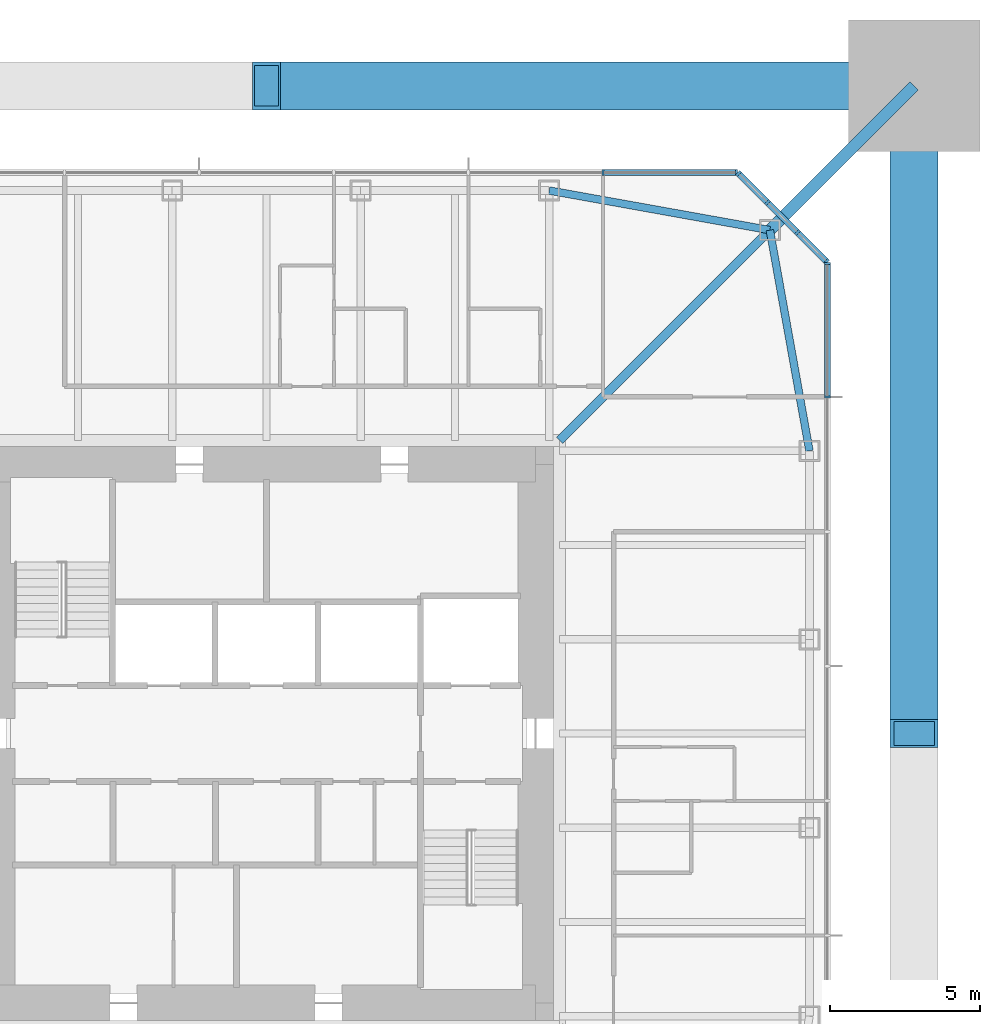
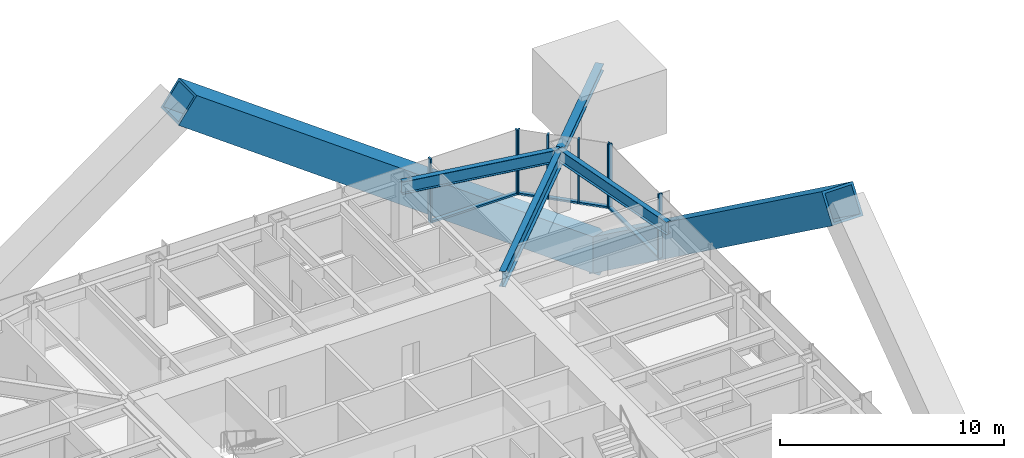
# One storey, part 6 of 13: 16 members, 3 beams, 3 elements without a shape of their own.
"""IFC4 building model written with IfcOpenShell, lengths in metres."""

from ifc_helpers import new_model, si_unit, direction, frame, origin, origin_2d, place, context, subcontext, project, spatial, rectangle, hollow_rectangle, i_section, extrude, material, material_profile, profile_set, type_object, element, aggregate, save


model = new_model("IFC4")

# Units and contexts
model_context = context("Model", 3, precision=1e-05, world=origin(), true_north=direction((0.0, 1.0)))
body_context = subcontext(model_context, "Body", "Model", "MODEL_VIEW")
ifc_project = project(units=[si_unit("LENGTHUNIT", "METRE"), si_unit("AREAUNIT", "SQUARE_METRE"), si_unit("VOLUMEUNIT", "CUBIC_METRE"), si_unit("PLANEANGLEUNIT", "RADIAN"), si_unit("MASSUNIT", "GRAM", prefix="KILO")], contexts=[model_context])

# Site, building, storey
site_placement = place(None, origin())
site = spatial("IfcSite", under=ifc_project, at=site_placement, CompositionType="ELEMENT")
building_placement = place(site_placement, origin())
building = spatial("IfcBuilding", under=site, at=building_placement, Name="Iwan Alto Co-Living Towers", CompositionType="ELEMENT")
storey_placement = place(building_placement, frame((0.0, 0.0, 184.5)))
storey = spatial("IfcBuildingStorey", under=building, at=storey_placement, Name="L50", CompositionType="ELEMENT", Elevation=184.5)

# Curtain wall, members
ifc_material_1 = material(Name="Bronze aluminium unitised frame", Category="aluminium")
curtain_wall_type_1 = type_object("IfcCurtainWallType", Name="CURTAIN WALL CW-A", PredefinedType="NOTDEFINED", material=ifc_material_1)
curtain_wall_1_placement = place(storey_placement, origin())
curtain_wall_1 = element("IfcCurtainWall", 1, at=curtain_wall_1_placement, inside=storey, type_object=curtain_wall_type_1, Name="T1 curtain wall E L50", PredefinedType="NOTDEFINED")
ifc_material_2 = material(Name="Aluminium 6063-T6 bronze anodised", Category="aluminium")
ifc_material_profile_1 = material_profile(ifc_material_2, rectangle(XDim=0.199951171875, YDim=0.080078125, at=origin_2d()), Name="AL 80X200")
ifc_profile_set_1 = profile_set([ifc_material_profile_1], Name="Aluminium 6063-T6 bronze anodised")
member_type_1 = type_object("IfcMemberType", Name="CW-A MULLION 80X200", PredefinedType="MULLION", material=ifc_profile_set_1)
member_1_placement = place(storey_placement, frame((18.75, 11.25, 0.0), z_axis=(0.0, 0.0, 1.0), x_axis=(-1.0, 0.0, 0.0)))
member_1 = element("IfcMember", 2, at=member_1_placement, type_object=member_type_1, Name="CW-A mullion 7", PredefinedType="MULLION", context=body_context, shape_type="SweptSolid", body=[
    extrude(rectangle(XDim=0.199951171875, YDim=0.080078125, at=origin_2d()), origin(), (0.0, 0.0, 1.0), 3.5),
])
member_2_placement = place(storey_placement, frame((18.75, 15.7099609375, 0.0), z_axis=(0.0, 0.0, 1.0), x_axis=(-1.0, 0.0, 0.0)))
member_2 = element("IfcMember", 3, at=member_2_placement, type_object=member_type_1, Name="CW-A mullion 8", PredefinedType="MULLION", context=body_context, shape_type="SweptSolid", body=[
    extrude(rectangle(XDim=0.199951171875, YDim=0.080078125, at=origin_2d()), origin(), (0.0, 0.0, 1.0), 3.5),
])

curtain_wall_2_placement = place(storey_placement, origin())
curtain_wall_2 = element("IfcCurtainWall", 4, at=curtain_wall_2_placement, inside=storey, type_object=curtain_wall_type_1, Name="T1 curtain wall N L50", PredefinedType="NOTDEFINED")
member_3_placement = place(storey_placement, frame((15.7099609375, 18.75, 0.0), z_axis=(0.0, 0.0, 1.0), x_axis=(0.0, -1.0, 0.0)))
member_3 = element("IfcMember", 5, at=member_3_placement, type_object=member_type_1, Name="CW-A mullion 1", PredefinedType="MULLION", context=body_context, shape_type="SweptSolid", body=[
    extrude(rectangle(XDim=0.199951171875, YDim=0.080078125, at=origin_2d()), origin(), (0.0, 0.0, 1.0), 3.5),
])
member_4_placement = place(storey_placement, frame((11.25, 18.75, 0.0), z_axis=(0.0, 0.0, 1.0), x_axis=(0.0, -1.0, 0.0)))
member_4 = element("IfcMember", 6, at=member_4_placement, type_object=member_type_1, Name="CW-A mullion 2", PredefinedType="MULLION", context=body_context, shape_type="SweptSolid", body=[
    extrude(rectangle(XDim=0.199951171875, YDim=0.080078125, at=origin_2d()), origin(), (0.0, 0.0, 1.0), 3.5),
])

# Member
ifc_material_3 = material(Name="Aluminium 6063-T6 bronze anodised", Category="aluminium")
ifc_material_profile_2 = material_profile(ifc_material_3, rectangle(XDim=0.199951171875, YDim=0.10009765625, at=origin_2d()), Name="AL 200X100")
ifc_profile_set_2 = profile_set([ifc_material_profile_2], Name="Aluminium 6063-T6 bronze anodised")
member_type_2 = type_object("IfcMemberType", Name="CW-A TRANSOM 200X100", PredefinedType="USERDEFINED", material=ifc_profile_set_2)
member_5_placement = place(storey_placement, frame((18.75, 11.2900390625, 0.050048828125), z_axis=(0.0, 1.0, 0.0), x_axis=(-1.0, 0.0, 0.0)))
member_5 = element("IfcMember", 7, at=member_5_placement, type_object=member_type_2, Name="CW-A transom 7.1", ObjectType="TRANSOM", PredefinedType="USERDEFINED", context=body_context, shape_type="SweptSolid", body=[
    extrude(rectangle(XDim=0.199951171875, YDim=0.10009765625, at=origin_2d()), origin(), (0.0, 0.0, 1.0), 4.3798828125),
])

aggregate(curtain_wall_1, [member_1, member_2, member_5])

member_6_placement = place(storey_placement, frame((15.669921875, 18.75, 0.050048828125), z_axis=(-1.0, 0.0, 0.0), x_axis=(0.0, -1.0, 0.0)))
member_6 = element("IfcMember", 8, at=member_6_placement, type_object=member_type_2, Name="CW-A transom 1.1", ObjectType="TRANSOM", PredefinedType="USERDEFINED", context=body_context, shape_type="SweptSolid", body=[
    extrude(rectangle(XDim=0.199951171875, YDim=0.10009765625, at=origin_2d()), origin(), (0.0, 0.0, 1.0), 4.3798828125),
])

aggregate(curtain_wall_2, [member_3, member_4, member_6])

# Curtain wall, members
ifc_material_4 = material(Name="Bronze aluminium unitised frame", Category="aluminium")
curtain_wall_type_2 = type_object("IfcCurtainWallType", Name="CURTAIN WALL CW-B", PredefinedType="NOTDEFINED", material=ifc_material_4)
curtain_wall_3_placement = place(storey_placement, origin())
curtain_wall_3 = element("IfcCurtainWall", 9, at=curtain_wall_3_placement, inside=storey, type_object=curtain_wall_type_2, Name="T1 chamfer curtain wall NE L50", PredefinedType="NOTDEFINED")
ifc_material_5 = material(Name="Aluminium 6063-T6 bronze anodised", Category="aluminium")
ifc_material_profile_3 = material_profile(ifc_material_5, rectangle(XDim=0.199951171875, YDim=0.080078125, at=origin_2d()), Name="AL 80X200")
ifc_profile_set_3 = profile_set([ifc_material_profile_3], Name="Aluminium 6063-T6 bronze anodised")
member_type_3 = type_object("IfcMemberType", Name="CW-B MULLION 80X200", PredefinedType="MULLION", material=ifc_profile_set_3)
member_7_placement = place(storey_placement, frame((18.7216796875, 15.7783203125, 0.0), z_axis=(0.0, 0.0, 1.0), x_axis=(-0.707106781187, -0.707106781187, 0.0)))
member_7 = element("IfcMember", 10, at=member_7_placement, type_object=member_type_3, Name="CW-B mullion 1", PredefinedType="MULLION", context=body_context, shape_type="SweptSolid", body=[
    extrude(rectangle(XDim=0.199951171875, YDim=0.080078125, at=origin_2d()), origin(), (0.0, 0.0, 1.0), 3.5),
])
member_8_placement = place(storey_placement, frame((17.75, 16.75, 0.0), z_axis=(0.0, 0.0, 1.0), x_axis=(-0.707106781187, -0.707106781187, 0.0)))
member_8 = element("IfcMember", 11, at=member_8_placement, type_object=member_type_3, Name="CW-B mullion 2", PredefinedType="MULLION", context=body_context, shape_type="SweptSolid", body=[
    extrude(rectangle(XDim=0.199951171875, YDim=0.080078125, at=origin_2d()), origin(), (0.0, 0.0, 1.0), 3.5),
])
member_9_placement = place(storey_placement, frame((16.75, 17.75, 0.0), z_axis=(0.0, 0.0, 1.0), x_axis=(-0.707106781187, -0.707106781187, 0.0)))
member_9 = element("IfcMember", 12, at=member_9_placement, type_object=member_type_3, Name="CW-B mullion 3", PredefinedType="MULLION", context=body_context, shape_type="SweptSolid", body=[
    extrude(rectangle(XDim=0.199951171875, YDim=0.080078125, at=origin_2d()), origin(), (0.0, 0.0, 1.0), 3.5),
])
member_10_placement = place(storey_placement, frame((15.7783203125, 18.7216796875, 0.0), z_axis=(0.0, 0.0, 1.0), x_axis=(-0.707106781187, -0.707106781187, 0.0)))
member_10 = element("IfcMember", 13, at=member_10_placement, type_object=member_type_3, Name="CW-B mullion 4", PredefinedType="MULLION", context=body_context, shape_type="SweptSolid", body=[
    extrude(rectangle(XDim=0.199951171875, YDim=0.080078125, at=origin_2d()), origin(), (0.0, 0.0, 1.0), 3.5),
])
ifc_material_6 = material(Name="Aluminium 6063-T6 bronze anodised", Category="aluminium")
ifc_material_profile_4 = material_profile(ifc_material_6, rectangle(XDim=0.199951171875, YDim=0.10009765625, at=origin_2d()), Name="AL 200X100")
ifc_profile_set_4 = profile_set([ifc_material_profile_4], Name="Aluminium 6063-T6 bronze anodised")
member_type_4 = type_object("IfcMemberType", Name="CW-B TRANSOM 200X100", PredefinedType="USERDEFINED", material=ifc_profile_set_4)
member_11_placement = place(storey_placement, frame((18.693359375, 15.806640625, 0.050048828125), z_axis=(-0.707106781187, 0.707106781187, 0.0), x_axis=(-0.707106781187, -0.707106781187, 0.0)))
member_11 = element("IfcMember", 14, at=member_11_placement, type_object=member_type_4, Name="CW-B transom 1.1", ObjectType="TRANSOM", PredefinedType="USERDEFINED", context=body_context, shape_type="SweptSolid", body=[
    extrude(rectangle(XDim=0.199951171875, YDim=0.10009765625, at=origin_2d()), origin(), (0.0, 0.0, 1.0), 1.2939453125),
])
member_12_placement = place(storey_placement, frame((17.7216796875, 16.7783203125, 0.050048828125), z_axis=(-0.707106781187, 0.707106781187, 0.0), x_axis=(-0.707106781187, -0.707106781187, 0.0)))
member_12 = element("IfcMember", 15, at=member_12_placement, type_object=member_type_4, Name="CW-B transom 2.1", ObjectType="TRANSOM", PredefinedType="USERDEFINED", context=body_context, shape_type="SweptSolid", body=[
    extrude(rectangle(XDim=0.199951171875, YDim=0.10009765625, at=origin_2d()), origin(), (0.0, 0.0, 1.0), 1.334228515625),
])
member_13_placement = place(storey_placement, frame((16.7216796875, 17.7783203125, 0.050048828125), z_axis=(-0.707106781187, 0.707106781187, 0.0), x_axis=(-0.707106781187, -0.707106781187, 0.0)))
member_13 = element("IfcMember", 16, at=member_13_placement, type_object=member_type_4, Name="CW-B transom 3.1", ObjectType="TRANSOM", PredefinedType="USERDEFINED", context=body_context, shape_type="SweptSolid", body=[
    extrude(rectangle(XDim=0.199951171875, YDim=0.10009765625, at=origin_2d()), origin(), (0.0, 0.0, 1.0), 1.2939453125),
])
aggregate(curtain_wall_3, [member_7, member_8, member_9, member_10, member_11, member_12, member_13])

# Beams
ifc_material_7 = material(Name="Steel ASTM A992 Gr 50", Category="steel")
ifc_material_profile_5 = material_profile(ifc_material_7, i_section(OverallWidth=0.2919921875, OverallDepth=0.8408203125, WebThickness=0.0146484375, FlangeThickness=0.021728515625, at=origin_2d()), Name="W33X130")
ifc_profile_set_5 = profile_set([ifc_material_profile_5], Name="Steel ASTM A992 Gr 50")
beam_type_1 = type_object("IfcBeamType", Name="T1 CORNER GIRDER W33X130", PredefinedType="BEAM", material=ifc_profile_set_5)
beam_placement = place(storey_placement, frame((16.82568359375, 16.82568359375, 2.849609375), z_axis=(-0.707106781187, -0.707106781187, 0.0), x_axis=(0.707106781187, -0.707106781187, 0.0)))
element("IfcBeam", 17, at=beam_placement, inside=storey, type_object=beam_type_1, Name="T1 corner girder CNE L51", PredefinedType="BEAM", context=body_context, shape_type="SweptSolid", body=[
    extrude(i_section(OverallWidth=0.2919921875, OverallDepth=0.8408203125, WebThickness=0.0146484375, FlangeThickness=0.021728515625, at=origin_2d()), origin(), (0.0, 0.0, 1.0), 9.936767578125),
])
ifc_material_8 = material(Name="Steel ASTM A992 Gr 50", Category="steel")
ifc_material_profile_6 = material_profile(ifc_material_8, i_section(OverallWidth=0.25390625, OverallDepth=0.683349609375, WebThickness=0.012451171875, FlangeThickness=0.018798828125, at=origin_2d()), Name="W27X94")
ifc_profile_set_6 = profile_set([ifc_material_profile_6], Name="Steel ASTM A992 Gr 50")
beam_type_2 = type_object("IfcBeamType", Name="T1 EDGE BEAM W27X94", PredefinedType="BEAM", material=ifc_profile_set_6)
for number, where, z_axis, x_axis, name in (
    (18, (18.14990234375, 9.449951171875, 2.928466796875), (-0.17671181143, 0.98426263553, 0.0), (-0.98426263553, -0.17671181143, 0.0), "T1 edge beam E4 L51"),
    (19, (16.82568359375, 16.82568359375, 2.928466796875), (-0.98426263553, 0.17671181143, 0.0), (-0.17671181143, -0.98426263553, 0.0), "T1 edge beam CNE L51"),
):
    element("IfcBeam", number, at=place(storey_placement, frame(where, z_axis=z_axis, x_axis=x_axis)), inside=storey, type_object=beam_type_2, Name=name, PredefinedType="BEAM", context=body_context, shape_type="SweptSolid", body=[
        extrude(i_section(OverallWidth=0.25390625, OverallDepth=0.683349609375, WebThickness=0.012451171875, FlangeThickness=0.018798828125, at=origin_2d()), origin(), (0.0, 0.0, 1.0), 7.49365234375),
    ])

# Members
ifc_material_9 = material(Name="Steel ASTM A572 Gr 42", Category="steel")
ifc_material_profile_7 = material_profile(ifc_material_9, hollow_rectangle(XDim=1.60009765625, YDim=1.60009765625, WallThickness=0.1201171875, at=origin_2d()), Name="BOX 1600X1600X120")
ifc_profile_set_7 = profile_set([ifc_material_profile_7], Name="Steel ASTM A572 Gr 42")
member_type_5 = type_object("IfcMemberType", Name="T1 MEGA BRACE BOX 1600X1600X120", PredefinedType="BRACE", material=ifc_profile_set_7)
for number, where, z_axis, x_axis, name in (
    (20, (21.64990234375, 21.64990234375, -7.0), (0.0, -0.808654054795, 0.588284471717), (1.0, 0.0, 0.0), "T1 mega brace Z3B E 2 lower"),
    (21, (21.64990234375, 21.64990234375, -7.0), (-0.808654054795, 0.0, 0.588284471717), (0.0, -1.0, 0.0), "T1 mega brace Z3B N 1 lower"),
):
    element("IfcMember", number, at=place(storey_placement, frame(where, z_axis=z_axis, x_axis=x_axis)), inside=storey, type_object=member_type_5, Name=name, PredefinedType="BRACE", context=body_context, shape_type="SweptSolid", body=[
        extrude(hollow_rectangle(XDim=1.60009765625, YDim=1.60009765625, WallThickness=0.1201171875, at=origin_2d()), origin(), (0.0, 0.0, 1.0), 26.772705078125),
    ])
ifc_material_10 = material(Name="Steel ASTM A992 Gr 50", Category="steel")
ifc_material_profile_8 = material_profile(ifc_material_10, i_section(OverallWidth=0.393798828125, OverallDepth=0.3759765625, WebThickness=0.017333984375, FlangeThickness=0.027587890625, at=origin_2d()), Name="W14X145")
ifc_profile_set_8 = profile_set([ifc_material_profile_8], Name="Steel ASTM A992 Gr 50")
member_type_6 = type_object("IfcMemberType", Name="T1 MEGA COLUMN FLOOR TIE W14X145", PredefinedType="STRUT", material=ifc_profile_set_8)
member_14_placement = place(storey_placement, frame((21.64990234375, 21.64990234375, 3.08203125), z_axis=(-0.707106781187, -0.707106781187, 0.0), x_axis=(0.707106781187, -0.707106781187, 0.0)))
element("IfcMember", 22, at=member_14_placement, inside=storey, type_object=member_type_6, Name="T1 mega column floor tie NE L51", PredefinedType="STRUT", context=body_context, shape_type="SweptSolid", body=[
    extrude(i_section(OverallWidth=0.393798828125, OverallDepth=0.3759765625, WebThickness=0.017333984375, FlangeThickness=0.027587890625, at=origin_2d()), origin(), (0.0, 0.0, 1.0), 6.822509765625),
])

save(model, "model.ifc")
